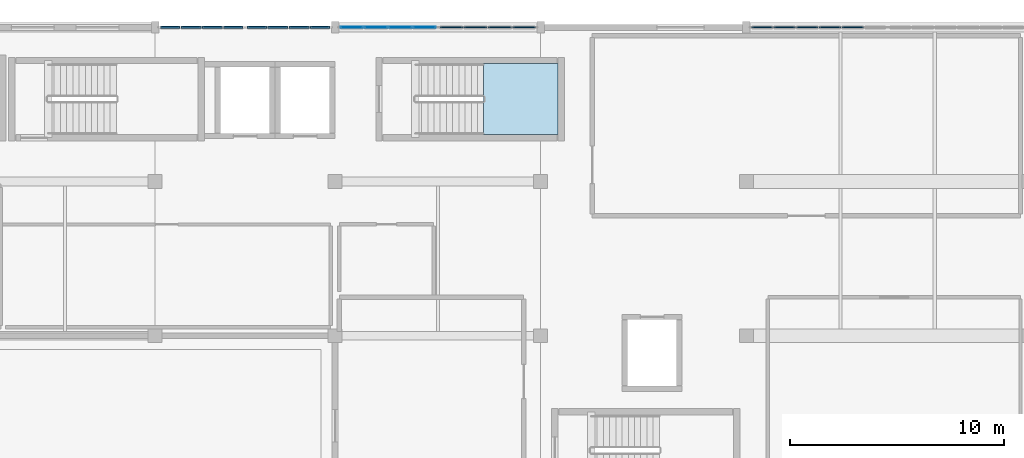
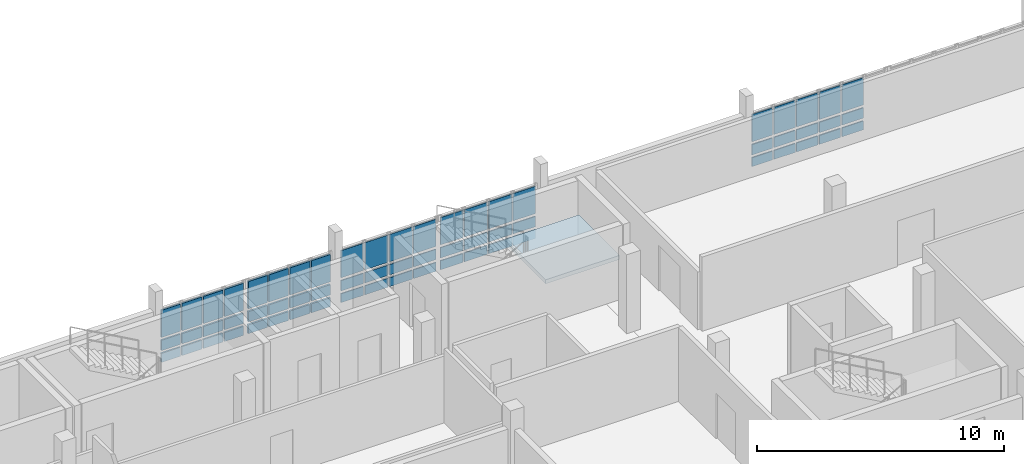
# One storey, part 18 of 25: 63 plates, 1 slab, 6 elements without a shape of their own.
"""IFC4 building model written with IfcOpenShell, lengths in metres."""

from ifc_helpers import new_model, si_unit, direction, frame, origin, origin_2d, place, context, subcontext, project, spatial, polyline, rectangle, outline, extrude, material, layer, layer_set, type_object, element, aggregate, save


model = new_model("IFC4")

# Units and contexts
model_context = context("Model", 3, precision=1e-05, world=origin(), true_north=direction((0.0, 1.0)))
body_context = subcontext(model_context, "Body", "Model", "MODEL_VIEW")
ifc_project = project(units=[si_unit("LENGTHUNIT", "METRE"), si_unit("AREAUNIT", "SQUARE_METRE"), si_unit("VOLUMEUNIT", "CUBIC_METRE"), si_unit("PLANEANGLEUNIT", "RADIAN"), si_unit("MASSUNIT", "GRAM", prefix="KILO")], contexts=[model_context])

# Site, building, storey
site_placement = place(None, origin())
site = spatial("IfcSite", under=ifc_project, at=site_placement, CompositionType="ELEMENT")
building_placement = place(site_placement, origin())
building = spatial("IfcBuilding", under=site, at=building_placement, Name="Kisaragi Civic Commons", CompositionType="ELEMENT")
storey_placement = place(building_placement, frame((0.0, 0.0, 13.5)))
storey = spatial("IfcBuildingStorey", under=building, at=storey_placement, Name="L03", CompositionType="ELEMENT", Elevation=13.5)

# Curtain wall, plates
ifc_material_1 = material(Name="Thermally broken anodized aluminium and low-E double glazing", Category="aluminium")
ifc_layer_1 = layer(ifc_material_1, 0.179931640625, Name="Thermally broken anodized aluminium and low-E double glazing", Category="aluminium")
ifc_layer_set_1 = layer_set([ifc_layer_1], Name="Thermally broken anodized aluminium and low-E double glazing")
curtain_wall_type = type_object("IfcCurtainWallType", Name="CW-01", PredefinedType="NOTDEFINED", material=ifc_layer_set_1)
curtain_wall_1_placement = place(storey_placement, origin())
curtain_wall_1 = element("IfcCurtainWall", 1, at=curtain_wall_1_placement, inside=storey, type_object=curtain_wall_type, Name="L03 curtain wall CW-01 CW-V4-L03-097", PredefinedType="NOTDEFINED")
ifc_layer_2 = layer(ifc_material_1, 0.080078125, Name="Thermally broken anodized aluminium and low-E double glazing", Category="aluminium")
ifc_layer_set_2 = layer_set([ifc_layer_2], Name="Thermally broken anodized aluminium and low-E double glazing")
plate_type_1 = type_object("IfcPlateType", Name="CWP-10", PredefinedType="CURTAIN_PANEL", material=ifc_layer_set_2)
plate_1_placement = place(storey_placement, frame((106.302490234375, 118.800048828125, 0.14013671875), z_axis=(0.0, 0.0, 1.0), x_axis=(1.0, 0.0, 0.0)))
plate_1 = element("IfcPlate", 2, at=plate_1_placement, type_object=plate_type_1, Name="CW-01 panel 1.1", PredefinedType="CURTAIN_PANEL", context=body_context, shape_type="SweptSolid", body=[
    extrude(rectangle(XDim=0.89501953125, YDim=0.080078125, at=origin_2d()), origin(), (0.0, 0.0, 1.0), 0.43994140625),
])
plate_2_placement = place(storey_placement, frame((106.302490234375, 118.800048828125, 0.72021484375), z_axis=(0.0, 0.0, 1.0), x_axis=(1.0, 0.0, 0.0)))
plate_2 = element("IfcPlate", 3, at=plate_2_placement, type_object=plate_type_1, Name="CW-01 panel 1.2", PredefinedType="CURTAIN_PANEL", context=body_context, shape_type="SweptSolid", body=[
    extrude(rectangle(XDim=0.89501953125, YDim=0.080078125, at=origin_2d()), origin(), (0.0, 0.0, 1.0), 0.510009765625),
])
plate_3_placement = place(storey_placement, frame((106.302490234375, 118.800048828125, 1.3701171875), z_axis=(0.0, 0.0, 1.0), x_axis=(1.0, 0.0, 0.0)))
plate_3 = element("IfcPlate", 4, at=plate_3_placement, type_object=plate_type_1, Name="CW-01 panel 1.3", PredefinedType="CURTAIN_PANEL", context=body_context, shape_type="SweptSolid", body=[
    extrude(rectangle(XDim=0.89501953125, YDim=0.080078125, at=origin_2d()), origin(), (0.0, 0.0, 1.0), 1.344970703125),
])
plate_4_placement = place(storey_placement, frame((107.27880859375, 118.800048828125, 0.14013671875), z_axis=(0.0, 0.0, 1.0), x_axis=(1.0, 0.0, 0.0)))
plate_4 = element("IfcPlate", 5, at=plate_4_placement, type_object=plate_type_1, Name="CW-01 panel 2.1", PredefinedType="CURTAIN_PANEL", context=body_context, shape_type="SweptSolid", body=[
    extrude(rectangle(XDim=0.927490234375, YDim=0.080078125, at=origin_2d()), origin(), (0.0, 0.0, 1.0), 0.43994140625),
])
plate_5_placement = place(storey_placement, frame((107.27880859375, 118.800048828125, 0.72021484375), z_axis=(0.0, 0.0, 1.0), x_axis=(1.0, 0.0, 0.0)))
plate_5 = element("IfcPlate", 6, at=plate_5_placement, type_object=plate_type_1, Name="CW-01 panel 2.2", PredefinedType="CURTAIN_PANEL", context=body_context, shape_type="SweptSolid", body=[
    extrude(rectangle(XDim=0.927490234375, YDim=0.080078125, at=origin_2d()), origin(), (0.0, 0.0, 1.0), 0.510009765625),
])
plate_6_placement = place(storey_placement, frame((107.27880859375, 118.800048828125, 1.3701171875), z_axis=(0.0, 0.0, 1.0), x_axis=(1.0, 0.0, 0.0)))
plate_6 = element("IfcPlate", 7, at=plate_6_placement, type_object=plate_type_1, Name="CW-01 panel 2.3", PredefinedType="CURTAIN_PANEL", context=body_context, shape_type="SweptSolid", body=[
    extrude(rectangle(XDim=0.927490234375, YDim=0.080078125, at=origin_2d()), origin(), (0.0, 0.0, 1.0), 1.344970703125),
])
plate_7_placement = place(storey_placement, frame((108.271240234375, 118.800048828125, 0.14013671875), z_axis=(0.0, 0.0, 1.0), x_axis=(1.0, 0.0, 0.0)))
plate_7 = element("IfcPlate", 8, at=plate_7_placement, type_object=plate_type_1, Name="CW-01 panel 3.1", PredefinedType="CURTAIN_PANEL", context=body_context, shape_type="SweptSolid", body=[
    extrude(rectangle(XDim=0.927490234375, YDim=0.080078125, at=origin_2d()), origin(), (0.0, 0.0, 1.0), 0.43994140625),
])
plate_8_placement = place(storey_placement, frame((108.271240234375, 118.800048828125, 0.72021484375), z_axis=(0.0, 0.0, 1.0), x_axis=(1.0, 0.0, 0.0)))
plate_8 = element("IfcPlate", 9, at=plate_8_placement, type_object=plate_type_1, Name="CW-01 panel 3.2", PredefinedType="CURTAIN_PANEL", context=body_context, shape_type="SweptSolid", body=[
    extrude(rectangle(XDim=0.927490234375, YDim=0.080078125, at=origin_2d()), origin(), (0.0, 0.0, 1.0), 0.510009765625),
])
plate_9_placement = place(storey_placement, frame((108.271240234375, 118.800048828125, 1.3701171875), z_axis=(0.0, 0.0, 1.0), x_axis=(1.0, 0.0, 0.0)))
plate_9 = element("IfcPlate", 10, at=plate_9_placement, type_object=plate_type_1, Name="CW-01 panel 3.3", PredefinedType="CURTAIN_PANEL", context=body_context, shape_type="SweptSolid", body=[
    extrude(rectangle(XDim=0.927490234375, YDim=0.080078125, at=origin_2d()), origin(), (0.0, 0.0, 1.0), 1.344970703125),
])
plate_10_placement = place(storey_placement, frame((109.24755859375, 118.800048828125, 0.14013671875), z_axis=(0.0, 0.0, 1.0), x_axis=(1.0, 0.0, 0.0)))
plate_10 = element("IfcPlate", 11, at=plate_10_placement, type_object=plate_type_1, Name="CW-01 panel 4.1", PredefinedType="CURTAIN_PANEL", context=body_context, shape_type="SweptSolid", body=[
    extrude(rectangle(XDim=0.89501953125, YDim=0.080078125, at=origin_2d()), origin(), (0.0, 0.0, 1.0), 0.43994140625),
])
plate_11_placement = place(storey_placement, frame((109.24755859375, 118.800048828125, 0.72021484375), z_axis=(0.0, 0.0, 1.0), x_axis=(1.0, 0.0, 0.0)))
plate_11 = element("IfcPlate", 12, at=plate_11_placement, type_object=plate_type_1, Name="CW-01 panel 4.2", PredefinedType="CURTAIN_PANEL", context=body_context, shape_type="SweptSolid", body=[
    extrude(rectangle(XDim=0.89501953125, YDim=0.080078125, at=origin_2d()), origin(), (0.0, 0.0, 1.0), 0.510009765625),
])
plate_12_placement = place(storey_placement, frame((109.24755859375, 118.800048828125, 1.3701171875), z_axis=(0.0, 0.0, 1.0), x_axis=(1.0, 0.0, 0.0)))
plate_12 = element("IfcPlate", 13, at=plate_12_placement, type_object=plate_type_1, Name="CW-01 panel 4.3", PredefinedType="CURTAIN_PANEL", context=body_context, shape_type="SweptSolid", body=[
    extrude(rectangle(XDim=0.89501953125, YDim=0.080078125, at=origin_2d()), origin(), (0.0, 0.0, 1.0), 1.344970703125),
])
aggregate(curtain_wall_1, [plate_1, plate_2, plate_3, plate_4, plate_5, plate_6, plate_7, plate_8, plate_9, plate_10, plate_11, plate_12])

curtain_wall_2_placement = place(storey_placement, origin())
curtain_wall_2 = element("IfcCurtainWall", 14, at=curtain_wall_2_placement, inside=storey, type_object=curtain_wall_type, Name="L03 curtain wall CW-01 CW-V4-L03-098", PredefinedType="NOTDEFINED")
ifc_layer_3 = layer(ifc_material_1, 0.0859375, Name="Thermally broken anodized aluminium and low-E double glazing", Category="aluminium")
ifc_layer_set_3 = layer_set([ifc_layer_3], Name="Thermally broken anodized aluminium and low-E double glazing")
plate_type_2 = type_object("IfcPlateType", Name="CWP-12", PredefinedType="CURTAIN_PANEL", material=ifc_layer_set_3)
plate_13_placement = place(storey_placement, frame((110.3525390625, 118.800048828125, 0.14013671875), z_axis=(0.0, 0.0, 1.0), x_axis=(1.0, 0.0, 0.0)))
plate_13 = element("IfcPlate", 15, at=plate_13_placement, type_object=plate_type_2, Name="CW-01 panel 1.1", PredefinedType="CURTAIN_PANEL", context=body_context, shape_type="SweptSolid", body=[
    extrude(rectangle(XDim=0.89501953125, YDim=0.0859375, at=origin_2d()), origin(), (0.0, 0.0, 1.0), 0.43994140625),
])
plate_14_placement = place(storey_placement, frame((110.3525390625, 118.800048828125, 0.72021484375), z_axis=(0.0, 0.0, 1.0), x_axis=(1.0, 0.0, 0.0)))
plate_14 = element("IfcPlate", 16, at=plate_14_placement, type_object=plate_type_2, Name="CW-01 panel 1.2", PredefinedType="CURTAIN_PANEL", context=body_context, shape_type="SweptSolid", body=[
    extrude(rectangle(XDim=0.89501953125, YDim=0.0859375, at=origin_2d()), origin(), (0.0, 0.0, 1.0), 0.510009765625),
])
plate_15_placement = place(storey_placement, frame((110.3525390625, 118.800048828125, 1.3701171875), z_axis=(0.0, 0.0, 1.0), x_axis=(1.0, 0.0, 0.0)))
plate_15 = element("IfcPlate", 17, at=plate_15_placement, type_object=plate_type_2, Name="CW-01 panel 1.3", PredefinedType="CURTAIN_PANEL", context=body_context, shape_type="SweptSolid", body=[
    extrude(rectangle(XDim=0.89501953125, YDim=0.0859375, at=origin_2d()), origin(), (0.0, 0.0, 1.0), 1.344970703125),
])
plate_16_placement = place(storey_placement, frame((111.328857421875, 118.800048828125, 0.14013671875), z_axis=(0.0, 0.0, 1.0), x_axis=(1.0, 0.0, 0.0)))
plate_16 = element("IfcPlate", 18, at=plate_16_placement, type_object=plate_type_2, Name="CW-01 panel 2.1", PredefinedType="CURTAIN_PANEL", context=body_context, shape_type="SweptSolid", body=[
    extrude(rectangle(XDim=0.927490234375, YDim=0.0859375, at=origin_2d()), origin(), (0.0, 0.0, 1.0), 0.43994140625),
])
plate_17_placement = place(storey_placement, frame((111.328857421875, 118.800048828125, 0.72021484375), z_axis=(0.0, 0.0, 1.0), x_axis=(1.0, 0.0, 0.0)))
plate_17 = element("IfcPlate", 19, at=plate_17_placement, type_object=plate_type_2, Name="CW-01 panel 2.2", PredefinedType="CURTAIN_PANEL", context=body_context, shape_type="SweptSolid", body=[
    extrude(rectangle(XDim=0.927490234375, YDim=0.0859375, at=origin_2d()), origin(), (0.0, 0.0, 1.0), 0.510009765625),
])
plate_18_placement = place(storey_placement, frame((111.328857421875, 118.800048828125, 1.3701171875), z_axis=(0.0, 0.0, 1.0), x_axis=(1.0, 0.0, 0.0)))
plate_18 = element("IfcPlate", 20, at=plate_18_placement, type_object=plate_type_2, Name="CW-01 panel 2.3", PredefinedType="CURTAIN_PANEL", context=body_context, shape_type="SweptSolid", body=[
    extrude(rectangle(XDim=0.927490234375, YDim=0.0859375, at=origin_2d()), origin(), (0.0, 0.0, 1.0), 1.344970703125),
])
plate_19_placement = place(storey_placement, frame((112.3212890625, 118.800048828125, 0.14013671875), z_axis=(0.0, 0.0, 1.0), x_axis=(1.0, 0.0, 0.0)))
plate_19 = element("IfcPlate", 21, at=plate_19_placement, type_object=plate_type_2, Name="CW-01 panel 3.1", PredefinedType="CURTAIN_PANEL", context=body_context, shape_type="SweptSolid", body=[
    extrude(rectangle(XDim=0.927490234375, YDim=0.0859375, at=origin_2d()), origin(), (0.0, 0.0, 1.0), 0.43994140625),
])
plate_20_placement = place(storey_placement, frame((112.3212890625, 118.800048828125, 0.72021484375), z_axis=(0.0, 0.0, 1.0), x_axis=(1.0, 0.0, 0.0)))
plate_20 = element("IfcPlate", 22, at=plate_20_placement, type_object=plate_type_2, Name="CW-01 panel 3.2", PredefinedType="CURTAIN_PANEL", context=body_context, shape_type="SweptSolid", body=[
    extrude(rectangle(XDim=0.927490234375, YDim=0.0859375, at=origin_2d()), origin(), (0.0, 0.0, 1.0), 0.510009765625),
])
plate_21_placement = place(storey_placement, frame((112.3212890625, 118.800048828125, 1.3701171875), z_axis=(0.0, 0.0, 1.0), x_axis=(1.0, 0.0, 0.0)))
plate_21 = element("IfcPlate", 23, at=plate_21_placement, type_object=plate_type_2, Name="CW-01 panel 3.3", PredefinedType="CURTAIN_PANEL", context=body_context, shape_type="SweptSolid", body=[
    extrude(rectangle(XDim=0.927490234375, YDim=0.0859375, at=origin_2d()), origin(), (0.0, 0.0, 1.0), 1.344970703125),
])
plate_22_placement = place(storey_placement, frame((113.297607421875, 118.800048828125, 0.14013671875), z_axis=(0.0, 0.0, 1.0), x_axis=(1.0, 0.0, 0.0)))
plate_22 = element("IfcPlate", 24, at=plate_22_placement, type_object=plate_type_2, Name="CW-01 panel 4.1", PredefinedType="CURTAIN_PANEL", context=body_context, shape_type="SweptSolid", body=[
    extrude(rectangle(XDim=0.89501953125, YDim=0.0859375, at=origin_2d()), origin(), (0.0, 0.0, 1.0), 0.43994140625),
])
plate_23_placement = place(storey_placement, frame((113.297607421875, 118.800048828125, 0.72021484375), z_axis=(0.0, 0.0, 1.0), x_axis=(1.0, 0.0, 0.0)))
plate_23 = element("IfcPlate", 25, at=plate_23_placement, type_object=plate_type_2, Name="CW-01 panel 4.2", PredefinedType="CURTAIN_PANEL", context=body_context, shape_type="SweptSolid", body=[
    extrude(rectangle(XDim=0.89501953125, YDim=0.0859375, at=origin_2d()), origin(), (0.0, 0.0, 1.0), 0.510009765625),
])
plate_24_placement = place(storey_placement, frame((113.297607421875, 118.800048828125, 1.3701171875), z_axis=(0.0, 0.0, 1.0), x_axis=(1.0, 0.0, 0.0)))
plate_24 = element("IfcPlate", 26, at=plate_24_placement, type_object=plate_type_2, Name="CW-01 panel 4.3", PredefinedType="CURTAIN_PANEL", context=body_context, shape_type="SweptSolid", body=[
    extrude(rectangle(XDim=0.89501953125, YDim=0.0859375, at=origin_2d()), origin(), (0.0, 0.0, 1.0), 1.344970703125),
])
aggregate(curtain_wall_2, [plate_13, plate_14, plate_15, plate_16, plate_17, plate_18, plate_19, plate_20, plate_21, plate_22, plate_23, plate_24])

curtain_wall_3_placement = place(storey_placement, origin())
curtain_wall_3 = element("IfcCurtainWall", 27, at=curtain_wall_3_placement, inside=storey, type_object=curtain_wall_type, Name="L03 curtain wall CW-01 CW-V4-L03-099", PredefinedType="NOTDEFINED")
ifc_layer_4 = layer(ifc_material_1, 0.0458984375, Name="Thermally broken anodized aluminium and low-E double glazing", Category="aluminium")
ifc_layer_set_4 = layer_set([ifc_layer_4], Name="Thermally broken anodized aluminium and low-E double glazing")
plate_type_3 = type_object("IfcPlateType", Name="CWP-13", PredefinedType="CURTAIN_PANEL", material=ifc_layer_set_4)
plate_25_placement = place(storey_placement, frame((114.777587890625, 118.800048828125, 0.14013671875), z_axis=(0.0, 0.0, 1.0), x_axis=(1.0, 0.0, 0.0)))
plate_25 = element("IfcPlate", 28, at=plate_25_placement, type_object=plate_type_3, Name="CW-01 panel 1.1", PredefinedType="CURTAIN_PANEL", context=body_context, shape_type="SweptSolid", body=[
    extrude(rectangle(XDim=1.044921875, YDim=0.0458984375, at=origin_2d()), origin(), (0.0, 0.0, 1.0), 0.43994140625),
])
plate_26_placement = place(storey_placement, frame((114.777587890625, 118.800048828125, 0.72021484375), z_axis=(0.0, 0.0, 1.0), x_axis=(1.0, 0.0, 0.0)))
plate_26 = element("IfcPlate", 29, at=plate_26_placement, type_object=plate_type_3, Name="CW-01 panel 1.2", PredefinedType="CURTAIN_PANEL", context=body_context, shape_type="SweptSolid", body=[
    extrude(rectangle(XDim=1.044921875, YDim=0.0458984375, at=origin_2d()), origin(), (0.0, 0.0, 1.0), 0.510009765625),
])
plate_27_placement = place(storey_placement, frame((114.777587890625, 118.800048828125, 1.3701171875), z_axis=(0.0, 0.0, 1.0), x_axis=(1.0, 0.0, 0.0)))
plate_27 = element("IfcPlate", 30, at=plate_27_placement, type_object=plate_type_3, Name="CW-01 panel 1.3", PredefinedType="CURTAIN_PANEL", context=body_context, shape_type="SweptSolid", body=[
    extrude(rectangle(XDim=1.044921875, YDim=0.0458984375, at=origin_2d()), origin(), (0.0, 0.0, 1.0), 1.344970703125),
])
plate_28_placement = place(storey_placement, frame((115.90380859375, 118.800048828125, 0.14013671875), z_axis=(0.0, 0.0, 1.0), x_axis=(1.0, 0.0, 0.0)))
plate_28 = element("IfcPlate", 31, at=plate_28_placement, type_object=plate_type_3, Name="CW-01 panel 2.1", PredefinedType="CURTAIN_PANEL", context=body_context, shape_type="SweptSolid", body=[
    extrude(rectangle(XDim=1.077392578125, YDim=0.0458984375, at=origin_2d()), origin(), (0.0, 0.0, 1.0), 0.43994140625),
])
plate_29_placement = place(storey_placement, frame((115.90380859375, 118.800048828125, 0.72021484375), z_axis=(0.0, 0.0, 1.0), x_axis=(1.0, 0.0, 0.0)))
plate_29 = element("IfcPlate", 32, at=plate_29_placement, type_object=plate_type_3, Name="CW-01 panel 2.2", PredefinedType="CURTAIN_PANEL", context=body_context, shape_type="SweptSolid", body=[
    extrude(rectangle(XDim=1.077392578125, YDim=0.0458984375, at=origin_2d()), origin(), (0.0, 0.0, 1.0), 0.510009765625),
])
plate_30_placement = place(storey_placement, frame((115.90380859375, 118.800048828125, 1.3701171875), z_axis=(0.0, 0.0, 1.0), x_axis=(1.0, 0.0, 0.0)))
plate_30 = element("IfcPlate", 33, at=plate_30_placement, type_object=plate_type_3, Name="CW-01 panel 2.3", PredefinedType="CURTAIN_PANEL", context=body_context, shape_type="SweptSolid", body=[
    extrude(rectangle(XDim=1.077392578125, YDim=0.0458984375, at=origin_2d()), origin(), (0.0, 0.0, 1.0), 1.344970703125),
])
plate_31_placement = place(storey_placement, frame((117.046142578125, 118.800048828125, 0.14013671875), z_axis=(0.0, 0.0, 1.0), x_axis=(1.0, 0.0, 0.0)))
plate_31 = element("IfcPlate", 34, at=plate_31_placement, type_object=plate_type_3, Name="CW-01 panel 3.1", PredefinedType="CURTAIN_PANEL", context=body_context, shape_type="SweptSolid", body=[
    extrude(rectangle(XDim=1.077392578125, YDim=0.0458984375, at=origin_2d()), origin(), (0.0, 0.0, 1.0), 0.43994140625),
])
plate_32_placement = place(storey_placement, frame((117.046142578125, 118.800048828125, 0.72021484375), z_axis=(0.0, 0.0, 1.0), x_axis=(1.0, 0.0, 0.0)))
plate_32 = element("IfcPlate", 35, at=plate_32_placement, type_object=plate_type_3, Name="CW-01 panel 3.2", PredefinedType="CURTAIN_PANEL", context=body_context, shape_type="SweptSolid", body=[
    extrude(rectangle(XDim=1.077392578125, YDim=0.0458984375, at=origin_2d()), origin(), (0.0, 0.0, 1.0), 0.510009765625),
])
plate_33_placement = place(storey_placement, frame((117.046142578125, 118.800048828125, 1.3701171875), z_axis=(0.0, 0.0, 1.0), x_axis=(1.0, 0.0, 0.0)))
plate_33 = element("IfcPlate", 36, at=plate_33_placement, type_object=plate_type_3, Name="CW-01 panel 3.3", PredefinedType="CURTAIN_PANEL", context=body_context, shape_type="SweptSolid", body=[
    extrude(rectangle(XDim=1.077392578125, YDim=0.0458984375, at=origin_2d()), origin(), (0.0, 0.0, 1.0), 1.344970703125),
])
plate_34_placement = place(storey_placement, frame((118.172607421875, 118.800048828125, 0.14013671875), z_axis=(0.0, 0.0, 1.0), x_axis=(1.0, 0.0, 0.0)))
plate_34 = element("IfcPlate", 37, at=plate_34_placement, type_object=plate_type_3, Name="CW-01 panel 4.1", PredefinedType="CURTAIN_PANEL", context=body_context, shape_type="SweptSolid", body=[
    extrude(rectangle(XDim=1.044921875, YDim=0.0458984375, at=origin_2d()), origin(), (0.0, 0.0, 1.0), 0.43994140625),
])
plate_35_placement = place(storey_placement, frame((118.172607421875, 118.800048828125, 0.72021484375), z_axis=(0.0, 0.0, 1.0), x_axis=(1.0, 0.0, 0.0)))
plate_35 = element("IfcPlate", 38, at=plate_35_placement, type_object=plate_type_3, Name="CW-01 panel 4.2", PredefinedType="CURTAIN_PANEL", context=body_context, shape_type="SweptSolid", body=[
    extrude(rectangle(XDim=1.044921875, YDim=0.0458984375, at=origin_2d()), origin(), (0.0, 0.0, 1.0), 0.510009765625),
])
plate_36_placement = place(storey_placement, frame((118.172607421875, 118.800048828125, 1.3701171875), z_axis=(0.0, 0.0, 1.0), x_axis=(1.0, 0.0, 0.0)))
plate_36 = element("IfcPlate", 39, at=plate_36_placement, type_object=plate_type_3, Name="CW-01 panel 4.3", PredefinedType="CURTAIN_PANEL", context=body_context, shape_type="SweptSolid", body=[
    extrude(rectangle(XDim=1.044921875, YDim=0.0458984375, at=origin_2d()), origin(), (0.0, 0.0, 1.0), 1.344970703125),
])
aggregate(curtain_wall_3, [plate_25, plate_26, plate_27, plate_28, plate_29, plate_30, plate_31, plate_32, plate_33, plate_34, plate_35, plate_36])

curtain_wall_4_placement = place(storey_placement, origin())
curtain_wall_4 = element("IfcCurtainWall", 40, at=curtain_wall_4_placement, inside=storey, type_object=curtain_wall_type, Name="L03 curtain wall CW-01 CW-V4-L03-100", PredefinedType="NOTDEFINED")
ifc_layer_5 = layer(ifc_material_1, 0.050048828125, Name="Thermally broken anodized aluminium and low-E double glazing", Category="aluminium")
ifc_layer_set_5 = layer_set([ifc_layer_5], Name="Thermally broken anodized aluminium and low-E double glazing")
plate_type_4 = type_object("IfcPlateType", Name="CWP-14", PredefinedType="CURTAIN_PANEL", material=ifc_layer_set_5)
plate_37_placement = place(storey_placement, frame((119.427490234375, 118.800048828125, 0.14013671875), z_axis=(0.0, 0.0, 1.0), x_axis=(1.0, 0.0, 0.0)))
plate_37 = element("IfcPlate", 41, at=plate_37_placement, type_object=plate_type_4, Name="CW-01 panel 1.1", PredefinedType="CURTAIN_PANEL", context=body_context, shape_type="SweptSolid", body=[
    extrude(rectangle(XDim=1.044921875, YDim=0.050048828125, at=origin_2d()), origin(), (0.0, 0.0, 1.0), 0.43994140625),
])
plate_38_placement = place(storey_placement, frame((119.427490234375, 118.800048828125, 0.72021484375), z_axis=(0.0, 0.0, 1.0), x_axis=(1.0, 0.0, 0.0)))
plate_38 = element("IfcPlate", 42, at=plate_38_placement, type_object=plate_type_4, Name="CW-01 panel 1.2", PredefinedType="CURTAIN_PANEL", context=body_context, shape_type="SweptSolid", body=[
    extrude(rectangle(XDim=1.044921875, YDim=0.050048828125, at=origin_2d()), origin(), (0.0, 0.0, 1.0), 0.510009765625),
])
plate_39_placement = place(storey_placement, frame((119.427490234375, 118.800048828125, 1.3701171875), z_axis=(0.0, 0.0, 1.0), x_axis=(1.0, 0.0, 0.0)))
plate_39 = element("IfcPlate", 43, at=plate_39_placement, type_object=plate_type_4, Name="CW-01 panel 1.3", PredefinedType="CURTAIN_PANEL", context=body_context, shape_type="SweptSolid", body=[
    extrude(rectangle(XDim=1.044921875, YDim=0.050048828125, at=origin_2d()), origin(), (0.0, 0.0, 1.0), 1.344970703125),
])
plate_40_placement = place(storey_placement, frame((120.5537109375, 118.800048828125, 0.14013671875), z_axis=(0.0, 0.0, 1.0), x_axis=(1.0, 0.0, 0.0)))
plate_40 = element("IfcPlate", 44, at=plate_40_placement, type_object=plate_type_4, Name="CW-01 panel 2.1", PredefinedType="CURTAIN_PANEL", context=body_context, shape_type="SweptSolid", body=[
    extrude(rectangle(XDim=1.077392578125, YDim=0.050048828125, at=origin_2d()), origin(), (0.0, 0.0, 1.0), 0.43994140625),
])
plate_41_placement = place(storey_placement, frame((120.5537109375, 118.800048828125, 0.72021484375), z_axis=(0.0, 0.0, 1.0), x_axis=(1.0, 0.0, 0.0)))
plate_41 = element("IfcPlate", 45, at=plate_41_placement, type_object=plate_type_4, Name="CW-01 panel 2.2", PredefinedType="CURTAIN_PANEL", context=body_context, shape_type="SweptSolid", body=[
    extrude(rectangle(XDim=1.077392578125, YDim=0.050048828125, at=origin_2d()), origin(), (0.0, 0.0, 1.0), 0.510009765625),
])
plate_42_placement = place(storey_placement, frame((120.5537109375, 118.800048828125, 1.3701171875), z_axis=(0.0, 0.0, 1.0), x_axis=(1.0, 0.0, 0.0)))
plate_42 = element("IfcPlate", 46, at=plate_42_placement, type_object=plate_type_4, Name="CW-01 panel 2.3", PredefinedType="CURTAIN_PANEL", context=body_context, shape_type="SweptSolid", body=[
    extrude(rectangle(XDim=1.077392578125, YDim=0.050048828125, at=origin_2d()), origin(), (0.0, 0.0, 1.0), 1.344970703125),
])
plate_43_placement = place(storey_placement, frame((121.6962890625, 118.800048828125, 0.14013671875), z_axis=(0.0, 0.0, 1.0), x_axis=(1.0, 0.0, 0.0)))
plate_43 = element("IfcPlate", 47, at=plate_43_placement, type_object=plate_type_4, Name="CW-01 panel 3.1", PredefinedType="CURTAIN_PANEL", context=body_context, shape_type="SweptSolid", body=[
    extrude(rectangle(XDim=1.077392578125, YDim=0.050048828125, at=origin_2d()), origin(), (0.0, 0.0, 1.0), 0.43994140625),
])
plate_44_placement = place(storey_placement, frame((121.6962890625, 118.800048828125, 0.72021484375), z_axis=(0.0, 0.0, 1.0), x_axis=(1.0, 0.0, 0.0)))
plate_44 = element("IfcPlate", 48, at=plate_44_placement, type_object=plate_type_4, Name="CW-01 panel 3.2", PredefinedType="CURTAIN_PANEL", context=body_context, shape_type="SweptSolid", body=[
    extrude(rectangle(XDim=1.077392578125, YDim=0.050048828125, at=origin_2d()), origin(), (0.0, 0.0, 1.0), 0.510009765625),
])
plate_45_placement = place(storey_placement, frame((121.6962890625, 118.800048828125, 1.3701171875), z_axis=(0.0, 0.0, 1.0), x_axis=(1.0, 0.0, 0.0)))
plate_45 = element("IfcPlate", 49, at=plate_45_placement, type_object=plate_type_4, Name="CW-01 panel 3.3", PredefinedType="CURTAIN_PANEL", context=body_context, shape_type="SweptSolid", body=[
    extrude(rectangle(XDim=1.077392578125, YDim=0.050048828125, at=origin_2d()), origin(), (0.0, 0.0, 1.0), 1.344970703125),
])
plate_46_placement = place(storey_placement, frame((122.822509765625, 118.800048828125, 0.14013671875), z_axis=(0.0, 0.0, 1.0), x_axis=(1.0, 0.0, 0.0)))
plate_46 = element("IfcPlate", 50, at=plate_46_placement, type_object=plate_type_4, Name="CW-01 panel 4.1", PredefinedType="CURTAIN_PANEL", context=body_context, shape_type="SweptSolid", body=[
    extrude(rectangle(XDim=1.044921875, YDim=0.050048828125, at=origin_2d()), origin(), (0.0, 0.0, 1.0), 0.43994140625),
])
plate_47_placement = place(storey_placement, frame((122.822509765625, 118.800048828125, 0.72021484375), z_axis=(0.0, 0.0, 1.0), x_axis=(1.0, 0.0, 0.0)))
plate_47 = element("IfcPlate", 51, at=plate_47_placement, type_object=plate_type_4, Name="CW-01 panel 4.2", PredefinedType="CURTAIN_PANEL", context=body_context, shape_type="SweptSolid", body=[
    extrude(rectangle(XDim=1.044921875, YDim=0.050048828125, at=origin_2d()), origin(), (0.0, 0.0, 1.0), 0.510009765625),
])
plate_48_placement = place(storey_placement, frame((122.822509765625, 118.800048828125, 1.3701171875), z_axis=(0.0, 0.0, 1.0), x_axis=(1.0, 0.0, 0.0)))
plate_48 = element("IfcPlate", 52, at=plate_48_placement, type_object=plate_type_4, Name="CW-01 panel 4.3", PredefinedType="CURTAIN_PANEL", context=body_context, shape_type="SweptSolid", body=[
    extrude(rectangle(XDim=1.044921875, YDim=0.050048828125, at=origin_2d()), origin(), (0.0, 0.0, 1.0), 1.344970703125),
])
aggregate(curtain_wall_4, [plate_37, plate_38, plate_39, plate_40, plate_41, plate_42, plate_43, plate_44, plate_45, plate_46, plate_47, plate_48])

curtain_wall_5_placement = place(storey_placement, origin())
curtain_wall_5 = element("IfcCurtainWall", 53, at=curtain_wall_5_placement, inside=storey, type_object=curtain_wall_type, Name="L03 curtain wall CW-01 CW-V4-L03-101", PredefinedType="NOTDEFINED")
ifc_layer_6 = layer(ifc_material_1, 0.053955078125, Name="Thermally broken anodized aluminium and low-E double glazing", Category="aluminium")
ifc_layer_set_6 = layer_set([ifc_layer_6], Name="Thermally broken anodized aluminium and low-E double glazing")
plate_type_5 = type_object("IfcPlateType", Name="CWP-15", PredefinedType="CURTAIN_PANEL", material=ifc_layer_set_6)
plate_49_placement = place(storey_placement, frame((133.93701171875, 118.800048828125, 0.14013671875), z_axis=(0.0, 0.0, 1.0), x_axis=(1.0, 0.0, 0.0)))
plate_49 = element("IfcPlate", 54, at=plate_49_placement, type_object=plate_type_5, Name="CW-01 panel 1.1", PredefinedType="CURTAIN_PANEL", context=body_context, shape_type="SweptSolid", body=[
    extrude(rectangle(XDim=0.964111328125, YDim=0.053955078125, at=origin_2d()), origin(), (0.0, 0.0, 1.0), 0.43994140625),
])
plate_50_placement = place(storey_placement, frame((133.93701171875, 118.800048828125, 0.72021484375), z_axis=(0.0, 0.0, 1.0), x_axis=(1.0, 0.0, 0.0)))
plate_50 = element("IfcPlate", 55, at=plate_50_placement, type_object=plate_type_5, Name="CW-01 panel 1.2", PredefinedType="CURTAIN_PANEL", context=body_context, shape_type="SweptSolid", body=[
    extrude(rectangle(XDim=0.964111328125, YDim=0.053955078125, at=origin_2d()), origin(), (0.0, 0.0, 1.0), 0.510009765625),
])
plate_51_placement = place(storey_placement, frame((133.93701171875, 118.800048828125, 1.3701171875), z_axis=(0.0, 0.0, 1.0), x_axis=(1.0, 0.0, 0.0)))
plate_51 = element("IfcPlate", 56, at=plate_51_placement, type_object=plate_type_5, Name="CW-01 panel 1.3", PredefinedType="CURTAIN_PANEL", context=body_context, shape_type="SweptSolid", body=[
    extrude(rectangle(XDim=0.964111328125, YDim=0.053955078125, at=origin_2d()), origin(), (0.0, 0.0, 1.0), 1.344970703125),
])
plate_52_placement = place(storey_placement, frame((134.982421875, 118.800048828125, 0.14013671875), z_axis=(0.0, 0.0, 1.0), x_axis=(1.0, 0.0, 0.0)))
plate_52 = element("IfcPlate", 57, at=plate_52_placement, type_object=plate_type_5, Name="CW-01 panel 2.1", PredefinedType="CURTAIN_PANEL", context=body_context, shape_type="SweptSolid", body=[
    extrude(rectangle(XDim=0.99658203125, YDim=0.053955078125, at=origin_2d()), origin(), (0.0, 0.0, 1.0), 0.43994140625),
])
plate_53_placement = place(storey_placement, frame((134.982421875, 118.800048828125, 0.72021484375), z_axis=(0.0, 0.0, 1.0), x_axis=(1.0, 0.0, 0.0)))
plate_53 = element("IfcPlate", 58, at=plate_53_placement, type_object=plate_type_5, Name="CW-01 panel 2.2", PredefinedType="CURTAIN_PANEL", context=body_context, shape_type="SweptSolid", body=[
    extrude(rectangle(XDim=0.99658203125, YDim=0.053955078125, at=origin_2d()), origin(), (0.0, 0.0, 1.0), 0.510009765625),
])
plate_54_placement = place(storey_placement, frame((134.982421875, 118.800048828125, 1.3701171875), z_axis=(0.0, 0.0, 1.0), x_axis=(1.0, 0.0, 0.0)))
plate_54 = element("IfcPlate", 59, at=plate_54_placement, type_object=plate_type_5, Name="CW-01 panel 2.3", PredefinedType="CURTAIN_PANEL", context=body_context, shape_type="SweptSolid", body=[
    extrude(rectangle(XDim=0.99658203125, YDim=0.053955078125, at=origin_2d()), origin(), (0.0, 0.0, 1.0), 1.344970703125),
])
plate_55_placement = place(storey_placement, frame((136.044189453125, 118.800048828125, 0.14013671875), z_axis=(0.0, 0.0, 1.0), x_axis=(1.0, 0.0, 0.0)))
plate_55 = element("IfcPlate", 60, at=plate_55_placement, type_object=plate_type_5, Name="CW-01 panel 3.1", PredefinedType="CURTAIN_PANEL", context=body_context, shape_type="SweptSolid", body=[
    extrude(rectangle(XDim=0.99658203125, YDim=0.053955078125, at=origin_2d()), origin(), (0.0, 0.0, 1.0), 0.43994140625),
])
plate_56_placement = place(storey_placement, frame((136.044189453125, 118.800048828125, 0.72021484375), z_axis=(0.0, 0.0, 1.0), x_axis=(1.0, 0.0, 0.0)))
plate_56 = element("IfcPlate", 61, at=plate_56_placement, type_object=plate_type_5, Name="CW-01 panel 3.2", PredefinedType="CURTAIN_PANEL", context=body_context, shape_type="SweptSolid", body=[
    extrude(rectangle(XDim=0.99658203125, YDim=0.053955078125, at=origin_2d()), origin(), (0.0, 0.0, 1.0), 0.510009765625),
])
plate_57_placement = place(storey_placement, frame((136.044189453125, 118.800048828125, 1.3701171875), z_axis=(0.0, 0.0, 1.0), x_axis=(1.0, 0.0, 0.0)))
plate_57 = element("IfcPlate", 62, at=plate_57_placement, type_object=plate_type_5, Name="CW-01 panel 3.3", PredefinedType="CURTAIN_PANEL", context=body_context, shape_type="SweptSolid", body=[
    extrude(rectangle(XDim=0.99658203125, YDim=0.053955078125, at=origin_2d()), origin(), (0.0, 0.0, 1.0), 1.344970703125),
])
plate_58_placement = place(storey_placement, frame((137.105712890625, 118.800048828125, 0.14013671875), z_axis=(0.0, 0.0, 1.0), x_axis=(1.0, 0.0, 0.0)))
plate_58 = element("IfcPlate", 63, at=plate_58_placement, type_object=plate_type_5, Name="CW-01 panel 4.1", PredefinedType="CURTAIN_PANEL", context=body_context, shape_type="SweptSolid", body=[
    extrude(rectangle(XDim=0.99658203125, YDim=0.053955078125, at=origin_2d()), origin(), (0.0, 0.0, 1.0), 0.43994140625),
])
plate_59_placement = place(storey_placement, frame((137.105712890625, 118.800048828125, 0.72021484375), z_axis=(0.0, 0.0, 1.0), x_axis=(1.0, 0.0, 0.0)))
plate_59 = element("IfcPlate", 64, at=plate_59_placement, type_object=plate_type_5, Name="CW-01 panel 4.2", PredefinedType="CURTAIN_PANEL", context=body_context, shape_type="SweptSolid", body=[
    extrude(rectangle(XDim=0.99658203125, YDim=0.053955078125, at=origin_2d()), origin(), (0.0, 0.0, 1.0), 0.510009765625),
])
plate_60_placement = place(storey_placement, frame((137.105712890625, 118.800048828125, 1.3701171875), z_axis=(0.0, 0.0, 1.0), x_axis=(1.0, 0.0, 0.0)))
plate_60 = element("IfcPlate", 65, at=plate_60_placement, type_object=plate_type_5, Name="CW-01 panel 4.3", PredefinedType="CURTAIN_PANEL", context=body_context, shape_type="SweptSolid", body=[
    extrude(rectangle(XDim=0.99658203125, YDim=0.053955078125, at=origin_2d()), origin(), (0.0, 0.0, 1.0), 1.344970703125),
])
plate_61_placement = place(storey_placement, frame((138.16748046875, 118.800048828125, 0.14013671875), z_axis=(0.0, 0.0, 1.0), x_axis=(1.0, 0.0, 0.0)))
plate_61 = element("IfcPlate", 66, at=plate_61_placement, type_object=plate_type_5, Name="CW-01 panel 5.1", PredefinedType="CURTAIN_PANEL", context=body_context, shape_type="SweptSolid", body=[
    extrude(rectangle(XDim=0.99658203125, YDim=0.053955078125, at=origin_2d()), origin(), (0.0, 0.0, 1.0), 0.43994140625),
])
plate_62_placement = place(storey_placement, frame((138.16748046875, 118.800048828125, 0.72021484375), z_axis=(0.0, 0.0, 1.0), x_axis=(1.0, 0.0, 0.0)))
plate_62 = element("IfcPlate", 67, at=plate_62_placement, type_object=plate_type_5, Name="CW-01 panel 5.2", PredefinedType="CURTAIN_PANEL", context=body_context, shape_type="SweptSolid", body=[
    extrude(rectangle(XDim=0.99658203125, YDim=0.053955078125, at=origin_2d()), origin(), (0.0, 0.0, 1.0), 0.510009765625),
])
plate_63_placement = place(storey_placement, frame((138.16748046875, 118.800048828125, 1.3701171875), z_axis=(0.0, 0.0, 1.0), x_axis=(1.0, 0.0, 0.0)))
plate_63 = element("IfcPlate", 68, at=plate_63_placement, type_object=plate_type_5, Name="CW-01 panel 5.3", PredefinedType="CURTAIN_PANEL", context=body_context, shape_type="SweptSolid", body=[
    extrude(rectangle(XDim=0.99658203125, YDim=0.053955078125, at=origin_2d()), origin(), (0.0, 0.0, 1.0), 1.344970703125),
])
aggregate(curtain_wall_5, [plate_49, plate_50, plate_51, plate_52, plate_53, plate_54, plate_55, plate_56, plate_57, plate_58, plate_59, plate_60, plate_61, plate_62, plate_63])

# Stair, slab
ifc_material_2 = material(Name="Concrete Fc30", Category="concrete")
stair_type = type_object("IfcStairType", Name="ST-A", PredefinedType="HALF_TURN_STAIR", material=ifc_material_2)
stair_placement = place(storey_placement, origin())
stair = element("IfcStair", 69, at=stair_placement, inside=storey, type_object=stair_type, Name="L03 Stair ST-L2", PredefinedType="HALF_TURN_STAIR")
ifc_layer_7 = layer(ifc_material_2, 0.199951171875, Name="Concrete Fc30", Category="concrete")
ifc_layer_set_7 = layer_set([ifc_layer_7], Name="Concrete Fc30")
slab_type = type_object("IfcSlabType", Name="STL-01", PredefinedType="LANDING", material=ifc_layer_set_7)
slab_placement = place(storey_placement, frame((0.0, 0.0, 1.75)))
slab = element("IfcSlab", 70, at=slab_placement, type_object=slab_type, Name="ST-L2 landing 1", PredefinedType="LANDING", context=body_context, shape_type="SweptSolid", body=[
    extrude(outline(polyline([(120.93994140625, 113.800048828125), (124.39990234375, 113.800048828125), (124.39990234375, 117.10009765625), (120.93994140625, 117.10009765625), (120.93994140625, 113.800048828125)])), origin(), (0.0, 0.0, 1.0), 0.199951171875),
])
aggregate(stair, [slab])

save(model, "model.ifc")
